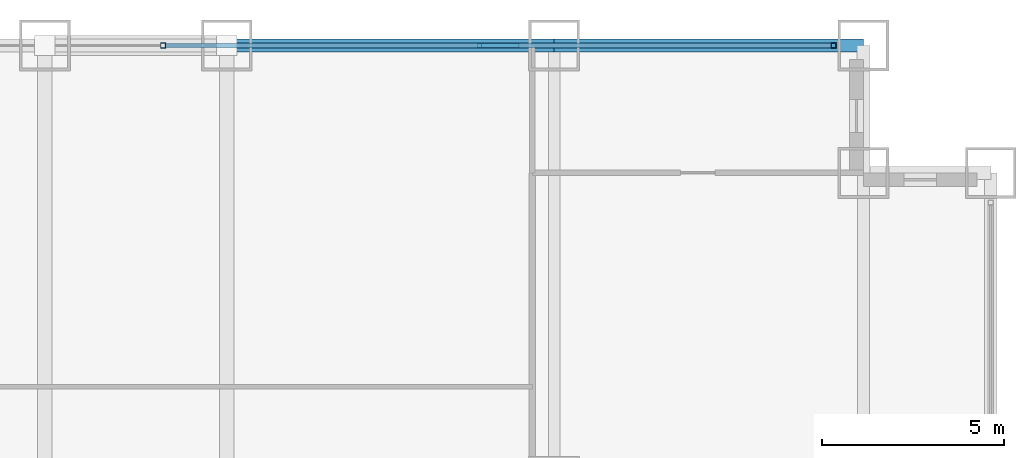
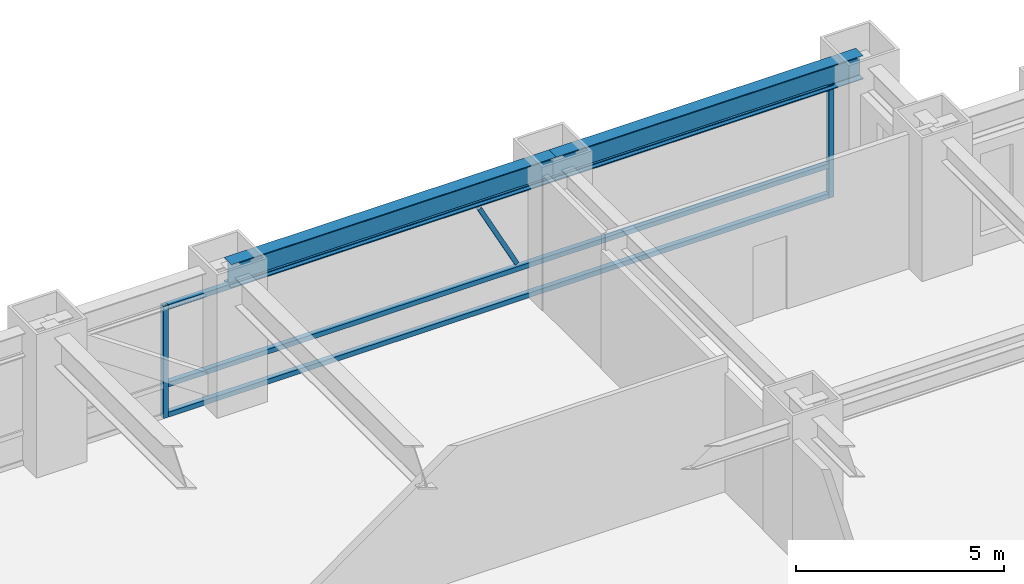
# One storey, part 21 of 27: 6 members, 2 beams, 1 element without a shape of its own.
"""IFC4 building model written with IfcOpenShell, lengths in metres."""

from ifc_helpers import new_model, si_unit, direction, frame, origin, origin_2d, place, context, subcontext, project, spatial, hollow_rectangle, i_section, extrude, source, transform, mapped, material, material_profile, profile_set, type_object, element, aggregate, save


model = new_model("IFC4")

# Units and contexts
model_context = context("Model", 3, precision=1e-05, world=origin(), true_north=direction((0.0, 1.0)))
body_context = subcontext(model_context, "Body", "Model", "MODEL_VIEW")
ifc_project = project(units=[si_unit("LENGTHUNIT", "METRE"), si_unit("AREAUNIT", "SQUARE_METRE"), si_unit("VOLUMEUNIT", "CUBIC_METRE"), si_unit("PLANEANGLEUNIT", "RADIAN"), si_unit("MASSUNIT", "GRAM", prefix="KILO")], contexts=[model_context])

# Site, building, storey
site_placement = place(None, origin())
site = spatial("IfcSite", under=ifc_project, at=site_placement, CompositionType="ELEMENT")
building_placement = place(site_placement, origin())
building = spatial("IfcBuilding", under=site, at=building_placement, Name="Khorayat Bourse Tower", CompositionType="ELEMENT")
storey_placement = place(building_placement, frame((0.0, 0.0, 53.60009765625)))
storey = spatial("IfcBuildingStorey", under=building, at=storey_placement, Name="L11", CompositionType="ELEMENT", Elevation=53.60009765625)

# Beams
ifc_material_1 = material(Name="Steel ASTM A992 Grade 50", Category="steel")
ifc_material_profile_1 = material_profile(ifc_material_1, i_section(OverallWidth=0.35498046875, OverallDepth=0.695068359375, WebThickness=0.015380859375, FlangeThickness=0.02490234375, FilletRadius=0.01806640625, at=origin_2d()), Name="W690X217")
ifc_profile_set_1 = profile_set([ifc_material_profile_1], Name="Steel ASTM A992 Grade 50")
beam_type = type_object("IfcBeamType", Name="BM-SPAN-690", PredefinedType="SPANDREL", material=ifc_profile_set_1)
shared_shape_1 = source(origin(), body_context, "Body", "SweptSolid", [
    extrude(i_section(OverallWidth=0.35498046875, OverallDepth=0.695068359375, WebThickness=0.015380859375, FlangeThickness=0.02490234375, FilletRadius=0.01806640625, at=origin_2d()), origin(), (0.0, 0.0, 1.0), 8.5),
])
beam_1_placement = place(storey_placement, frame((20.0, 32.0, 3.59228515625), z_axis=(1.0, 0.0, 0.0), x_axis=(0.0, 1.0, 0.0)))
element("IfcBeam", 1, at=beam_1_placement, inside=storey, type_object=beam_type, Name="L11 BM-SPAN-690 BM-L11-SPN-044", PredefinedType="SPANDREL", context=body_context, shape_type="MappedRepresentation", body=[
    mapped(shared_shape_1, transform((0.0, 0.0, 0.0), scale=1.0)),
])
shared_shape_2 = source(origin(), body_context, "Body", "SweptSolid", [
    extrude(i_section(OverallWidth=0.35498046875, OverallDepth=0.695068359375, WebThickness=0.015380859375, FlangeThickness=0.02490234375, FilletRadius=0.01806640625, at=origin_2d()), origin(), (0.0, 0.0, 1.0), 9.0),
])
beam_2_placement = place(storey_placement, frame((11.0, 32.0, 3.59228515625), z_axis=(1.0, 0.0, 0.0), x_axis=(0.0, 1.0, 0.0)))
element("IfcBeam", 2, at=beam_2_placement, inside=storey, type_object=beam_type, Name="L11 BM-SPAN-690 BM-L11-SPN-045", PredefinedType="SPANDREL", context=body_context, shape_type="MappedRepresentation", body=[
    mapped(shared_shape_2, transform((0.0, 0.0, 0.0), scale=1.0)),
])

# Curtain wall, members
ifc_material_2 = material(Name="Aluminium EN AW-6063 T6", Category="aluminium")
curtain_wall_type = type_object("IfcCurtainWallType", Name="CW-SYS-02", PredefinedType="NOTDEFINED", material=ifc_material_2)
curtain_wall_placement = place(storey_placement, origin())
curtain_wall = element("IfcCurtainWall", 3, at=curtain_wall_placement, inside=storey, type_object=curtain_wall_type, Name="L11 Curtain Wall CW-L11-N1", PredefinedType="NOTDEFINED")
ifc_material_profile_2 = material_profile(ifc_material_2, hollow_rectangle(XDim=0.139892578125, YDim=0.139892578125, WallThickness=0.006103515625, at=origin_2d()), Name="ALU 140x140x6")
ifc_profile_set_2 = profile_set([ifc_material_profile_2], Name="Aluminium EN AW-6063 T6")
member_type_1 = type_object("IfcMemberType", Name="CWM-VERT-140", PredefinedType="MULLION", material=ifc_profile_set_2)
shared_shape_3 = source(origin(), body_context, "Body", "SweptSolid", [
    extrude(hollow_rectangle(XDim=0.139892578125, YDim=0.139892578125, WallThickness=0.006103515625, at=origin_2d()), origin(), (0.0, 0.0, 1.0), 3.289794921875),
])
member_1_placement = place(storey_placement, frame((9.25, 32.0, 0.0), z_axis=(0.0, 0.0, 1.0), x_axis=(0.0, 1.0, 0.0)))
member_1 = element("IfcMember", 4, at=member_1_placement, type_object=member_type_1, Name="CW-L11-N1 Vertical Mullion 3", PredefinedType="MULLION", context=body_context, shape_type="MappedRepresentation", body=[
    mapped(shared_shape_3, transform((0.0, 0.0, 0.0), scale=1.0)),
])
member_2_placement = place(storey_placement, frame((27.679931640625, 32.0, 0.0), z_axis=(0.0, 0.0, 1.0), x_axis=(0.0, 1.0, 0.0)))
member_2 = element("IfcMember", 5, at=member_2_placement, type_object=member_type_1, Name="CW-L11-N1 Vertical Mullion 4", PredefinedType="MULLION", context=body_context, shape_type="MappedRepresentation", body=[
    mapped(shared_shape_3, transform((0.0, 0.0, 0.0), scale=1.0)),
])
ifc_material_profile_3 = material_profile(ifc_material_2, hollow_rectangle(XDim=0.139892578125, YDim=0.139892578125, WallThickness=0.006103515625, at=origin_2d()), Name="ALU 140x140x6")
ifc_profile_set_3 = profile_set([ifc_material_profile_3], Name="Aluminium EN AW-6063 T6")
member_type_2 = type_object("IfcMemberType", Name="CWT-HORZ-140", PredefinedType="USERDEFINED", material=ifc_profile_set_3)
shared_shape_4 = source(origin(), body_context, "Body", "SweptSolid", [
    extrude(hollow_rectangle(XDim=0.139892578125, YDim=0.139892578125, WallThickness=0.006103515625, at=origin_2d()), origin(), (0.0, 0.0, 1.0), 18.2900390625),
])
member_3_placement = place(storey_placement, frame((9.320068359375, 32.0, 0.06982421875), z_axis=(1.0, 0.0, 0.0), x_axis=(0.0, 1.0, 0.0)))
member_3 = element("IfcMember", 6, at=member_3_placement, type_object=member_type_2, Name="CW-L11-N1 Horizontal Transom 3-1", ObjectType="TRANSOM", PredefinedType="USERDEFINED", context=body_context, shape_type="MappedRepresentation", body=[
    mapped(shared_shape_4, transform((0.0, 0.0, 0.0), scale=1.0)),
])
member_4_placement = place(storey_placement, frame((9.320068359375, 32.0, 0.949951171875), z_axis=(1.0, 0.0, 0.0), x_axis=(0.0, 1.0, 0.0)))
member_4 = element("IfcMember", 7, at=member_4_placement, type_object=member_type_2, Name="CW-L11-N1 Horizontal Transom 3-2", ObjectType="TRANSOM", PredefinedType="USERDEFINED", context=body_context, shape_type="MappedRepresentation", body=[
    mapped(shared_shape_4, transform((0.0, 0.0, 0.0), scale=1.0)),
])
member_5_placement = place(storey_placement, frame((9.320068359375, 32.0, 3.219970703125), z_axis=(1.0, 0.0, 0.0), x_axis=(0.0, 1.0, 0.0)))
member_5 = element("IfcMember", 8, at=member_5_placement, type_object=member_type_2, Name="CW-L11-N1 Horizontal Transom 3-3", ObjectType="TRANSOM", PredefinedType="USERDEFINED", context=body_context, shape_type="MappedRepresentation", body=[
    mapped(shared_shape_4, transform((0.0, 0.0, 0.0), scale=1.0)),
])
ifc_material_profile_4 = material_profile(ifc_material_2, hollow_rectangle(XDim=0.1201171875, YDim=0.1201171875, WallThickness=0.0048828125, at=origin_2d()), Name="ALU 120x120x5")
ifc_profile_set_4 = profile_set([ifc_material_profile_4], Name="Aluminium EN AW-6063 T6")
member_type_3 = type_object("IfcMemberType", Name="CWM-DIAG-120", PredefinedType="MULLION", material=ifc_profile_set_4)
shared_shape_5 = source(origin(), body_context, "Body", "SweptSolid", [
    extrude(hollow_rectangle(XDim=0.1201171875, YDim=0.1201171875, WallThickness=0.0048828125, at=origin_2d()), origin(), (0.0, 0.0, 1.0), 2.22607421875),
])
member_6_placement = place(storey_placement, frame((18.9833984375, 32.0, 1.099853515625), z_axis=(-0.465759992596, 0.0, 0.884911085532), x_axis=(0.0, -1.0, 0.0)))
member_6 = element("IfcMember", 9, at=member_6_placement, type_object=member_type_3, Name="CW-L11-N1 Faceted Diagonal Mullion 3", PredefinedType="MULLION", context=body_context, shape_type="MappedRepresentation", body=[
    mapped(shared_shape_5, transform((0.0, 0.0, 0.0), scale=1.0)),
])
aggregate(curtain_wall, [member_1, member_2, member_3, member_4, member_5, member_6])

save(model, "model.ifc")
